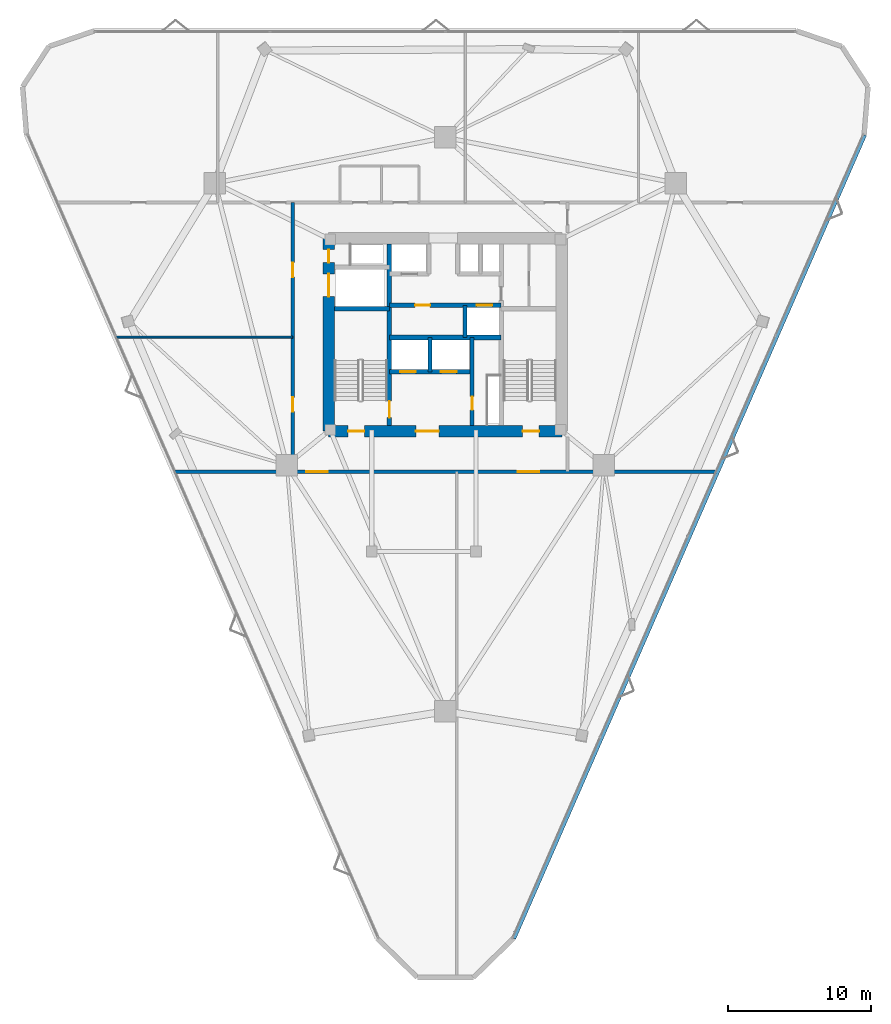
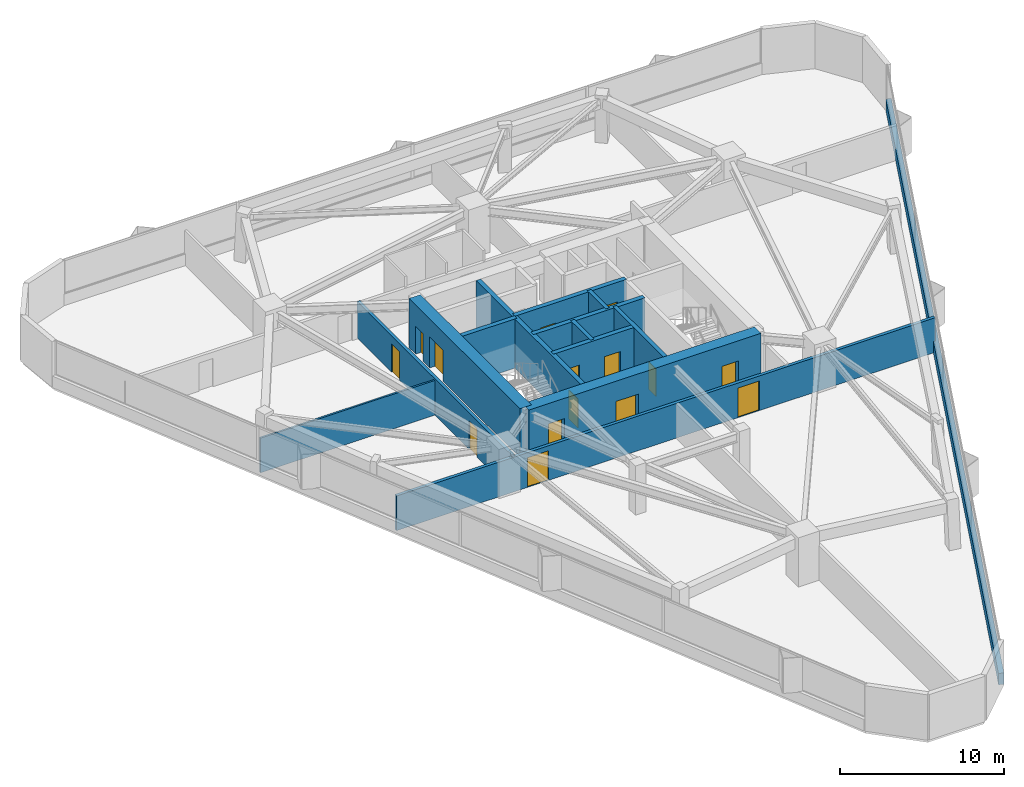
# One storey, part 12 of 14: 15 doors, 14 walls, 15 openings.
"""IFC4 building model written with IfcOpenShell, lengths in metres."""

from ifc_helpers import new_model, si_unit, direction, frame, frame_2d, origin, place, context, subcontext, project, spatial, rectangle, extrude, material, layer, layer_set, type_object, element, fill, save


model = new_model("IFC4")

# Units and contexts
model_context = context("Model", 3, precision=1e-05, world=origin(), true_north=direction((0.0, 1.0)))
body_context = subcontext(model_context, "Body", "Model", "MODEL_VIEW")
ifc_project = project(units=[si_unit("LENGTHUNIT", "METRE"), si_unit("AREAUNIT", "SQUARE_METRE"), si_unit("VOLUMEUNIT", "CUBIC_METRE"), si_unit("PLANEANGLEUNIT", "RADIAN"), si_unit("MASSUNIT", "GRAM", prefix="KILO")], contexts=[model_context])

# Site, building, storey
site_placement = place(None, origin())
site = spatial("IfcSite", under=ifc_project, at=site_placement, CompositionType="ELEMENT")
building_placement = place(site_placement, origin())
building = spatial("IfcBuilding", under=site, at=building_placement, Name="Talyreon Biosciences Tower", CompositionType="ELEMENT")
storey_placement = place(building_placement, frame((0.0, 0.0, 130.85009765625)))
storey = spatial("IfcBuildingStorey", under=building, at=storey_placement, Name="L34", CompositionType="ELEMENT", Elevation=130.85009765625)

# Wall
ifc_material_1 = material(Name="Concrete C50/60", Category="concrete")
ifc_layer_1 = layer(ifc_material_1, 0.280029296875)
ifc_layer_set_1 = layer_set([ifc_layer_1], Name="Concrete C50/60")
wall_type_1 = type_object("IfcWallType", Name="CoreShearWall_280", PredefinedType="SHEAR", material=ifc_layer_set_1)
wall_1_placement = place(storey_placement, frame((64.919921875, 65.39990234375, 0.0), z_axis=(0.0, 0.0, 1.0), x_axis=(0.0, 1.0, 0.0)))
element("IfcWall", 1, at=wall_1_placement, inside=storey, type_object=wall_type_1, Name="L34 Core Shaft Wall SWSHD1", PredefinedType="SHEAR", context=body_context, shape_type="SweptSolid", body=[
    extrude(rectangle(XDim=2.400146484375, YDim=0.280029296875, at=frame_2d((1.2001953125, 0.0))), origin(), (0.0, 0.0, 1.0), 3.64990234375),
])

# Wall, opening, door
wall_2_placement = place(storey_placement, frame((67.8798828125, 61.64990234375, 0.0), z_axis=(0.0, 0.0, 1.0), x_axis=(0.0, 1.0, 0.0)))
wall_2 = element("IfcWall", 2, at=wall_2_placement, inside=storey, type_object=wall_type_1, Name="L34 Core Shaft Wall SWFFE", PredefinedType="SHEAR", context=body_context, shape_type="SweptSolid", body=[
    extrude(rectangle(XDim=6.150146484375, YDim=0.280029296875, at=frame_2d((3.0751953125, 0.0))), origin(), (0.0, 0.0, 1.0), 3.64990234375),
])
opening_1_placement = place(wall_2_placement, frame((1.10009765625, 0.0, 0.0)))
opening_1 = element("IfcOpeningElement", 3, at=opening_1_placement, cuts=wall_2, Name="Opening DR-L34-RSE", PredefinedType="OPENING", context=body_context, shape_type="SweptSolid", body=[
    extrude(rectangle(XDim=0.919921875, YDim=2.050048828125, at=frame_2d((0.4599609375, 1.02490234375))), frame((0.0, 0.14990234375, 0.0), z_axis=(0.0, -1.0, 0.0), x_axis=(1.0, 0.0, 0.0)), (0.0, 0.0, 1.0), 0.300048828125),
])
ifc_material_2 = material(Name="Painted steel fire-rated riser door", Category="steel")
door_type_1 = type_object("IfcDoorType", Name="RiserPlantAccessDoor_920x2050", OperationType="NOTDEFINED", PredefinedType="DOOR", material=ifc_material_2)
door_1_placement = place(opening_1_placement, origin())
door_1 = element("IfcDoor", 4, at=door_1_placement, inside=storey, type_object=door_type_1, Name="L34 Core Door DR-L34-RSE", OperationType="SINGLE_SWING_RIGHT", OverallHeight=2.050048828125, OverallWidth=0.919921875, PredefinedType="DOOR", context=body_context, shape_type="SweptSolid", body=[
    extrude(rectangle(XDim=0.919921875, YDim=2.050048828125, at=frame_2d((0.4599609375, 1.02490234375))), frame((0.0, 0.02490234375, 0.0), z_axis=(0.0, -1.0, 0.0), x_axis=(1.0, 0.0, 0.0)), (0.0, 0.0, 1.0), 0.050048828125),
])
fill(opening_1, door_1)

# Wall
wall_3_placement = place(storey_placement, frame((67.3798828125, 67.800048828125, 0.0), z_axis=(0.0, 0.0, 1.0), x_axis=(0.0, 1.0, 0.0)))
element("IfcWall", 5, at=wall_3_placement, inside=storey, type_object=wall_type_1, Name="L34 Core Shaft Wall SWPMD", PredefinedType="SHEAR", context=body_context, shape_type="SweptSolid", body=[
    extrude(rectangle(XDim=2.25, YDim=0.280029296875, at=frame_2d((1.125, 0.0))), origin(), (0.0, 0.0, 1.0), 3.64990234375),
])

# Wall, opening, door
ifc_layer_2 = layer(ifc_material_1, 0.320068359375)
ifc_layer_set_2 = layer_set([ifc_layer_2], Name="Concrete C50/60")
wall_type_2 = type_object("IfcWallType", Name="CoreShearWall_320", PredefinedType="SHEAR", material=ifc_layer_set_2)
wall_4_placement = place(storey_placement, frame((62.090087890625, 61.64990234375, 0.0), z_axis=(0.0, 0.0, 1.0), x_axis=(0.0, 1.0, 0.0)))
wall_4 = element("IfcWall", 6, at=wall_4_placement, inside=storey, type_object=wall_type_2, Name="L34 Core Shaft Wall SW1E", PredefinedType="SHEAR", context=body_context, shape_type="SweptSolid", body=[
    extrude(rectangle(XDim=12.7001953125, YDim=0.320068359375, at=frame_2d((6.35009765625, 0.0))), origin(), (0.0, 0.0, 1.0), 3.64990234375),
])
opening_2_placement = place(wall_4_placement, frame((0.550048828125, 0.0, 0.0)))
opening_2 = element("IfcOpeningElement", 7, at=opening_2_placement, cuts=wall_4, Name="Opening DR-L34-FF-ST1", PredefinedType="OPENING", context=body_context, shape_type="SweptSolid", body=[
    extrude(rectangle(XDim=1.14990234375, YDim=2.14990234375, at=frame_2d((0.574951171875, 1.074951171875))), frame((0.0, 0.169921875, 0.0), z_axis=(0.0, -1.0, 0.0), x_axis=(1.0, 0.0, 0.0)), (0.0, 0.0, 1.0), 0.340087890625),
])
ifc_material_3 = material(Name="Painted steel fire door", Category="steel")
door_type_2 = type_object("IfcDoorType", Name="StairShaftFireDoor_1150x2150", OperationType="NOTDEFINED", PredefinedType="DOOR", material=ifc_material_3)
door_2_placement = place(opening_2_placement, origin())
door_2 = element("IfcDoor", 8, at=door_2_placement, inside=storey, type_object=door_type_2, Name="L34 Core Door DR-L34-FF-ST1", OperationType="SINGLE_SWING_LEFT", OverallHeight=2.14990234375, OverallWidth=1.14990234375, PredefinedType="DOOR", context=body_context, shape_type="SweptSolid", body=[
    extrude(rectangle(XDim=1.14990234375, YDim=2.14990234375, at=frame_2d((0.574951171875, 1.074951171875))), frame((0.0, 0.02490234375, 0.0), z_axis=(0.0, -1.0, 0.0), x_axis=(1.0, 0.0, 0.0)), (0.0, 0.0, 1.0), 0.050048828125),
])
fill(opening_2, door_2)

# Walls
wall_5_placement = place(storey_placement, frame((58.25, 69.81005859375, 0.0), z_axis=(0.0, 0.0, 1.0), x_axis=(1.0, 0.0, 0.0)))
element("IfcWall", 9, at=wall_5_placement, inside=storey, type_object=wall_type_2, Name="L34 Core Shaft Wall SW1N", PredefinedType="SHEAR", context=body_context, shape_type="SweptSolid", body=[
    extrude(rectangle(XDim=3.840087890625, YDim=0.320068359375, at=frame_2d((1.919921875, 0.0))), origin(), (0.0, 0.0, 1.0), 3.64990234375),
])
wall_6_placement = place(storey_placement, frame((62.090087890625, 67.800048828125, 0.0), z_axis=(0.0, 0.0, 1.0), x_axis=(1.0, 0.0, 0.0)))
element("IfcWall", 10, at=wall_6_placement, inside=storey, type_object=wall_type_2, Name="L34 Core Shaft Wall SWSHM", PredefinedType="SHEAR", context=body_context, shape_type="SweptSolid", body=[
    extrude(rectangle(XDim=7.81982421875, YDim=0.320068359375, at=frame_2d((3.909912109375, 0.0))), origin(), (0.0, 0.0, 1.0), 3.64990234375),
])

# Wall, openings, doors
wall_7_placement = place(storey_placement, frame((62.090087890625, 70.050048828125, 0.0), z_axis=(0.0, 0.0, 1.0), x_axis=(1.0, 0.0, 0.0)))
wall_7 = element("IfcWall", 11, at=wall_7_placement, inside=storey, type_object=wall_type_2, Name="L34 Core Shaft Wall SWSPN", PredefinedType="SHEAR", context=body_context, shape_type="SweptSolid", body=[
    extrude(rectangle(XDim=7.81982421875, YDim=0.320068359375, at=frame_2d((3.909912109375, 0.0))), origin(), (0.0, 0.0, 1.0), 3.64990234375),
])
opening_3_placement = place(wall_7_placement, frame((1.800048828125, 0.0, 0.0)))
opening_3 = element("IfcOpeningElement", 12, at=opening_3_placement, cuts=wall_7, Name="Opening DR-L34-PLFREE-A", PredefinedType="OPENING", context=body_context, shape_type="SweptSolid", body=[
    extrude(rectangle(XDim=1.050048828125, YDim=2.14990234375, at=frame_2d((0.52490234375, 1.074951171875))), frame((0.0, 0.169921875, 0.0), z_axis=(0.0, -1.0, 0.0), x_axis=(1.0, 0.0, 0.0)), (0.0, 0.0, 1.0), 0.340087890625),
])
opening_4_placement = place(wall_7_placement, frame((6.10009765625, 0.0, 0.0)))
opening_4 = element("IfcOpeningElement", 13, at=opening_4_placement, cuts=wall_7, Name="Opening LD-L34-PM1", PredefinedType="OPENING", context=body_context, shape_type="SweptSolid", body=[
    extrude(rectangle(XDim=1.10009765625, YDim=2.199951171875, at=frame_2d((0.550048828125, 1.10009765625))), frame((0.0, 0.169921875, 0.0), z_axis=(0.0, -1.0, 0.0), x_axis=(1.0, 0.0, 0.0)), (0.0, 0.0, 1.0), 0.340087890625),
])
ifc_material_4 = material(Name="Acoustic timber-core laboratory door", Category="wood")
door_type_3 = type_object("IfcDoorType", Name="DryLabSingleDoor_1050x2150", OperationType="NOTDEFINED", PredefinedType="DOOR", material=ifc_material_4)
door_3_placement = place(opening_3_placement, origin())
door_3 = element("IfcDoor", 14, at=door_3_placement, inside=storey, type_object=door_type_3, Name="L34 Core Door DR-L34-PLFREE-A", OperationType="SINGLE_SWING_LEFT", OverallHeight=2.14990234375, OverallWidth=1.050048828125, PredefinedType="DOOR", context=body_context, shape_type="SweptSolid", body=[
    extrude(rectangle(XDim=1.050048828125, YDim=2.14990234375, at=frame_2d((0.52490234375, 1.074951171875))), frame((0.0, 0.02490234375, 0.0), z_axis=(0.0, -1.0, 0.0), x_axis=(1.0, 0.0, 0.0)), (0.0, 0.0, 1.0), 0.050048828125),
])
fill(opening_3, door_3)
ifc_material_5 = material(Name="Brushed stainless-steel lift landing door", Category="steel")
door_type_4 = type_object("IfcDoorType", Name="LiftSlidingLandingDoor_1100x2200", OperationType="SLIDING_TO_LEFT", PredefinedType="DOOR", material=ifc_material_5)
door_4_placement = place(opening_4_placement, origin())
door_4 = element("IfcDoor", 15, at=door_4_placement, inside=storey, type_object=door_type_4, Name="L34 Core Door LD-L34-PM1", OperationType="SLIDING_TO_LEFT", OverallHeight=2.199951171875, OverallWidth=1.10009765625, PredefinedType="DOOR", context=body_context, shape_type="SweptSolid", body=[
    extrude(rectangle(XDim=1.10009765625, YDim=2.199951171875, at=frame_2d((0.550048828125, 1.10009765625))), frame((0.0, 0.02490234375, 0.0), z_axis=(0.0, -1.0, 0.0), x_axis=(1.0, 0.0, 0.0)), (0.0, 0.0, 1.0), 0.050048828125),
])
fill(opening_4, door_4)

wall_8_placement = place(storey_placement, frame((62.090087890625, 65.39990234375, 0.0), z_axis=(0.0, 0.0, 1.0), x_axis=(1.0, 0.0, 0.0)))
wall_8 = element("IfcWall", 16, at=wall_8_placement, inside=storey, type_object=wall_type_2, Name="L34 Core Shaft Wall SWFFN", PredefinedType="SHEAR", context=body_context, shape_type="SweptSolid", body=[
    extrude(rectangle(XDim=5.789794921875, YDim=0.320068359375, at=frame_2d((2.89501953125, 0.0))), origin(), (0.0, 0.0, 1.0), 3.64990234375),
])
opening_5_placement = place(wall_8_placement, frame((0.75, 0.0, 0.0)))
opening_5 = element("IfcOpeningElement", 17, at=opening_5_placement, cuts=wall_8, Name="Opening LD-L34-FL1", PredefinedType="OPENING", context=body_context, shape_type="SweptSolid", body=[
    extrude(rectangle(XDim=1.10009765625, YDim=2.199951171875, at=frame_2d((0.550048828125, 1.10009765625))), frame((0.0, 0.169921875, 0.0), z_axis=(0.0, -1.0, 0.0), x_axis=(1.0, 0.0, 0.0)), (0.0, 0.0, 1.0), 0.340087890625),
])
opening_6_placement = place(wall_8_placement, frame((3.60009765625, 0.0, 0.0)))
opening_6 = element("IfcOpeningElement", 18, at=opening_6_placement, cuts=wall_8, Name="Opening LD-L34-FL2", PredefinedType="OPENING", context=body_context, shape_type="SweptSolid", body=[
    extrude(rectangle(XDim=1.10009765625, YDim=2.199951171875, at=frame_2d((0.550048828125, 1.10009765625))), frame((0.0, 0.169921875, 0.0), z_axis=(0.0, -1.0, 0.0), x_axis=(1.0, 0.0, 0.0)), (0.0, 0.0, 1.0), 0.340087890625),
])
door_5_placement = place(opening_5_placement, origin())
door_5 = element("IfcDoor", 19, at=door_5_placement, inside=storey, type_object=door_type_4, Name="L34 Core Door LD-L34-FL1", OperationType="SLIDING_TO_LEFT", OverallHeight=2.199951171875, OverallWidth=1.10009765625, PredefinedType="DOOR", context=body_context, shape_type="SweptSolid", body=[
    extrude(rectangle(XDim=1.10009765625, YDim=2.199951171875, at=frame_2d((0.550048828125, 1.10009765625))), frame((0.0, 0.02490234375, 0.0), z_axis=(0.0, -1.0, 0.0), x_axis=(1.0, 0.0, 0.0)), (0.0, 0.0, 1.0), 0.050048828125),
])
fill(opening_5, door_5)
door_6_placement = place(opening_6_placement, origin())
door_6 = element("IfcDoor", 20, at=door_6_placement, inside=storey, type_object=door_type_4, Name="L34 Core Door LD-L34-FL2", OperationType="SLIDING_TO_LEFT", OverallHeight=2.199951171875, OverallWidth=1.10009765625, PredefinedType="DOOR", context=body_context, shape_type="SweptSolid", body=[
    extrude(rectangle(XDim=1.10009765625, YDim=2.199951171875, at=frame_2d((0.550048828125, 1.10009765625))), frame((0.0, 0.02490234375, 0.0), z_axis=(0.0, -1.0, 0.0), x_axis=(1.0, 0.0, 0.0)), (0.0, 0.0, 1.0), 0.050048828125),
])
fill(opening_6, door_6)

ifc_material_6 = material(Name="Concrete C60/75", Category="concrete")
ifc_layer_3 = layer(ifc_material_6, 0.800048828125)
ifc_layer_set_3 = layer_set([ifc_layer_3], Name="Concrete C60/75")
wall_type_3 = type_object("IfcWallType", Name="CoreShearWall_800", PredefinedType="SHEAR", material=ifc_layer_set_3)
wall_9_placement = place(storey_placement, frame((57.85009765625, 61.25, 0.0), z_axis=(0.0, 0.0, 1.0), x_axis=(1.0, 0.0, 0.0)))
wall_9 = element("IfcWall", 21, at=wall_9_placement, inside=storey, type_object=wall_type_3, Name="L34 Core Shear Wall S", PredefinedType="SHEAR", context=body_context, shape_type="SweptSolid", body=[
    extrude(rectangle(XDim=16.2998046875, YDim=0.800048828125, at=frame_2d((8.14990234375, 0.0))), origin(), (0.0, 0.0, 1.0), 3.64990234375),
])
opening_7_placement = place(wall_9_placement, frame((1.35009765625, 0.0, 0.0)))
opening_7 = element("IfcOpeningElement", 22, at=opening_7_placement, cuts=wall_9, Name="Opening DR-L34-ST1", PredefinedType="OPENING", context=body_context, shape_type="SweptSolid", body=[
    extrude(rectangle(XDim=1.14990234375, YDim=2.14990234375, at=frame_2d((0.574951171875, 1.074951171875))), frame((0.0, 0.409912109375, 0.0), z_axis=(0.0, -1.0, 0.0), x_axis=(1.0, 0.0, 0.0)), (0.0, 0.0, 1.0), 0.820068359375),
])
opening_8_placement = place(wall_9_placement, frame((6.10009765625, 0.0, 0.0)))
opening_8 = element("IfcOpeningElement", 23, at=opening_8_placement, cuts=wall_9, Name="Opening DR-L34-FFL", PredefinedType="OPENING", context=body_context, shape_type="SweptSolid", body=[
    extrude(rectangle(XDim=1.60009765625, YDim=2.14990234375, at=frame_2d((0.800048828125, 1.074951171875))), frame((0.0, 0.409912109375, 0.0), z_axis=(0.0, -1.0, 0.0), x_axis=(1.0, 0.0, 0.0)), (0.0, 0.0, 1.0), 0.820068359375),
])
opening_9_placement = place(wall_9_placement, frame((13.550048828125, 0.0, 0.0)))
opening_9 = element("IfcOpeningElement", 24, at=opening_9_placement, cuts=wall_9, Name="Opening DR-L34-ST2", PredefinedType="OPENING", context=body_context, shape_type="SweptSolid", body=[
    extrude(rectangle(XDim=1.14990234375, YDim=2.14990234375, at=frame_2d((0.574951171875, 1.074951171875))), frame((0.0, 0.409912109375, 0.0), z_axis=(0.0, -1.0, 0.0), x_axis=(1.0, 0.0, 0.0)), (0.0, 0.0, 1.0), 0.820068359375),
])
ifc_material_7 = material(Name="Painted steel smoke-seal fire door", Category="steel")
door_type_5 = type_object("IfcDoorType", Name="FirefightingLobbyDoubleDoor_1600x2150", OperationType="DOUBLE_DOOR_SINGLE_SWING", PredefinedType="DOOR", material=ifc_material_7)
door_7_placement = place(opening_8_placement, origin())
door_7 = element("IfcDoor", 25, at=door_7_placement, inside=storey, type_object=door_type_5, Name="L34 Core Door DR-L34-FFL", OperationType="DOUBLE_DOOR_SINGLE_SWING", OverallHeight=2.14990234375, OverallWidth=1.60009765625, PredefinedType="DOOR", context=body_context, shape_type="SweptSolid", body=[
    extrude(rectangle(XDim=1.60009765625, YDim=2.14990234375, at=frame_2d((0.800048828125, 1.074951171875))), frame((0.0, 0.02490234375, 0.0), z_axis=(0.0, -1.0, 0.0), x_axis=(1.0, 0.0, 0.0)), (0.0, 0.0, 1.0), 0.050048828125),
])
fill(opening_8, door_7)
door_8_placement = place(opening_7_placement, origin())
door_8 = element("IfcDoor", 26, at=door_8_placement, inside=storey, type_object=door_type_2, Name="L34 Core Door DR-L34-ST1", OperationType="SINGLE_SWING_LEFT", OverallHeight=2.14990234375, OverallWidth=1.14990234375, PredefinedType="DOOR", context=body_context, shape_type="SweptSolid", body=[
    extrude(rectangle(XDim=1.14990234375, YDim=2.14990234375, at=frame_2d((0.574951171875, 1.074951171875))), frame((0.0, 0.02490234375, 0.0), z_axis=(0.0, -1.0, 0.0), x_axis=(1.0, 0.0, 0.0)), (0.0, 0.0, 1.0), 0.050048828125),
])
fill(opening_7, door_8)
door_9_placement = place(opening_9_placement, origin())
door_9 = element("IfcDoor", 27, at=door_9_placement, inside=storey, type_object=door_type_2, Name="L34 Core Door DR-L34-ST2", OperationType="SINGLE_SWING_RIGHT", OverallHeight=2.14990234375, OverallWidth=1.14990234375, PredefinedType="DOOR", context=body_context, shape_type="SweptSolid", body=[
    extrude(rectangle(XDim=1.14990234375, YDim=2.14990234375, at=frame_2d((0.574951171875, 1.074951171875))), frame((0.0, 0.02490234375, 0.0), z_axis=(0.0, -1.0, 0.0), x_axis=(1.0, 0.0, 0.0)), (0.0, 0.0, 1.0), 0.050048828125),
])
fill(opening_9, door_9)

wall_10_placement = place(storey_placement, frame((57.85009765625, 74.75, 0.0), z_axis=(0.0, 0.0, 1.0), x_axis=(0.0, -1.0, 0.0)))
wall_10 = element("IfcWall", 28, at=wall_10_placement, inside=storey, type_object=wall_type_3, Name="L34 Core Shear Wall W", PredefinedType="SHEAR", context=body_context, shape_type="SweptSolid", body=[
    extrude(rectangle(XDim=13.5, YDim=0.800048828125, at=frame_2d((6.75, 0.0))), origin(), (0.0, 0.0, 1.0), 3.64990234375),
])
opening_10_placement = place(wall_10_placement, frame((0.800048828125, 0.0, 0.0)))
opening_10 = element("IfcOpeningElement", 29, at=opening_10_placement, cuts=wall_10, Name="Opening DR-L34-RSW", PredefinedType="OPENING", context=body_context, shape_type="SweptSolid", body=[
    extrude(rectangle(XDim=0.919921875, YDim=2.050048828125, at=frame_2d((0.4599609375, 1.02490234375))), frame((0.0, 0.409912109375, 0.0), z_axis=(0.0, -1.0, 0.0), x_axis=(1.0, 0.0, 0.0)), (0.0, 0.0, 1.0), 0.820068359375),
])
opening_11_placement = place(wall_10_placement, frame((2.5, 0.0, 0.0)))
opening_11 = element("IfcOpeningElement", 30, at=opening_11_placement, cuts=wall_10, Name="Opening LD-L34-GL1", PredefinedType="OPENING", context=body_context, shape_type="SweptSolid", body=[
    extrude(rectangle(XDim=1.60009765625, YDim=2.300048828125, at=frame_2d((0.800048828125, 1.14990234375))), frame((0.0, 0.409912109375, 0.0), z_axis=(0.0, -1.0, 0.0), x_axis=(1.0, 0.0, 0.0)), (0.0, 0.0, 1.0), 0.820068359375),
])
ifc_material_8 = material(Name="Heavy-duty stainless-steel goods lift door", Category="steel")
door_type_6 = type_object("IfcDoorType", Name="GoodsLiftSlidingDoor_1600x2300", OperationType="DOUBLE_DOOR_SLIDING", PredefinedType="DOOR", material=ifc_material_8)
door_10_placement = place(opening_11_placement, origin())
door_10 = element("IfcDoor", 31, at=door_10_placement, inside=storey, type_object=door_type_6, Name="L34 Core Door LD-L34-GL1", OperationType="DOUBLE_DOOR_SLIDING", OverallHeight=2.300048828125, OverallWidth=1.60009765625, PredefinedType="DOOR", context=body_context, shape_type="SweptSolid", body=[
    extrude(rectangle(XDim=1.60009765625, YDim=2.300048828125, at=frame_2d((0.800048828125, 1.14990234375))), frame((0.0, 0.02490234375, 0.0), z_axis=(0.0, -1.0, 0.0), x_axis=(1.0, 0.0, 0.0)), (0.0, 0.0, 1.0), 0.050048828125),
])
fill(opening_11, door_10)
door_11_placement = place(opening_10_placement, origin())
door_11 = element("IfcDoor", 32, at=door_11_placement, inside=storey, type_object=door_type_1, Name="L34 Core Door DR-L34-RSW", OperationType="SINGLE_SWING_LEFT", OverallHeight=2.050048828125, OverallWidth=0.919921875, PredefinedType="DOOR", context=body_context, shape_type="SweptSolid", body=[
    extrude(rectangle(XDim=0.919921875, YDim=2.050048828125, at=frame_2d((0.4599609375, 1.02490234375))), frame((0.0, 0.02490234375, 0.0), z_axis=(0.0, -1.0, 0.0), x_axis=(1.0, 0.0, 0.0)), (0.0, 0.0, 1.0), 0.050048828125),
])
fill(opening_10, door_11)

ifc_material_9 = material(Name="Gypsum fireboard acoustic stud", Category="gypsum")
ifc_layer_4 = layer(ifc_material_9, 0.219970703125)
ifc_layer_set_4 = layer_set([ifc_layer_4], Name="Gypsum fireboard acoustic stud")
wall_type_4 = type_object("IfcWallType", Name="CorridorRatedPartition_220", PredefinedType="PARTITIONING", material=ifc_layer_set_4)
wall_11_placement = place(storey_placement, frame((47.0849609375, 58.419921875, 0.0), z_axis=(0.0, 0.0, 1.0), x_axis=(1.0, 0.0, 0.0)))
wall_11 = element("IfcWall", 33, at=wall_11_placement, inside=storey, type_object=wall_type_4, Name="L34 Interior Wall IW-L34-COR-S", PredefinedType="PARTITIONING", context=body_context, shape_type="SweptSolid", body=[
    extrude(rectangle(XDim=37.830078125, YDim=0.219970703125, at=frame_2d((18.9150390625, 0.0))), origin(), (0.0, 0.0, 1.0), 2.574951171875),
])
opening_12_placement = place(wall_11_placement, frame((9.181884765625, 0.0, 0.0)))
opening_12 = element("IfcOpeningElement", 34, at=opening_12_placement, cuts=wall_11, Name="Opening DR-L34-S1A", PredefinedType="OPENING", context=body_context, shape_type="SweptSolid", body=[
    extrude(rectangle(XDim=1.5, YDim=2.199951171875, at=frame_2d((0.75, 1.10009765625))), frame((0.0, 0.119873046875, 0.0), z_axis=(0.0, -1.0, 0.0), x_axis=(1.0, 0.0, 0.0)), (0.0, 0.0, 1.0), 0.239990234375),
])
opening_13_placement = place(wall_11_placement, frame((23.966064453125, 0.0, 0.0)))
opening_13 = element("IfcOpeningElement", 35, at=opening_13_placement, cuts=wall_11, Name="Opening DR-L34-S2A", PredefinedType="OPENING", context=body_context, shape_type="SweptSolid", body=[
    extrude(rectangle(XDim=1.5, YDim=2.199951171875, at=frame_2d((0.75, 1.10009765625))), frame((0.0, 0.119873046875, 0.0), z_axis=(0.0, -1.0, 0.0), x_axis=(1.0, 0.0, 0.0)), (0.0, 0.0, 1.0), 0.239990234375),
])
ifc_material_10 = material(Name="Vision-panel steel laboratory fire door", Category="steel")
door_type_7 = type_object("IfcDoorType", Name="WetLabDoubleLeafDoor_1500x2200", OperationType="DOUBLE_DOOR_SINGLE_SWING", PredefinedType="DOOR", material=ifc_material_10)
door_12_placement = place(opening_12_placement, origin())
door_12 = element("IfcDoor", 36, at=door_12_placement, inside=storey, type_object=door_type_7, Name="L34 Interior Door DR-L34-S1A", OperationType="DOUBLE_DOOR_SINGLE_SWING", OverallHeight=2.199951171875, OverallWidth=1.5, PredefinedType="DOOR", context=body_context, shape_type="SweptSolid", body=[
    extrude(rectangle(XDim=1.5, YDim=2.199951171875, at=frame_2d((0.75, 1.10009765625))), frame((0.0, 0.02490234375, 0.0), z_axis=(0.0, -1.0, 0.0), x_axis=(1.0, 0.0, 0.0)), (0.0, 0.0, 1.0), 0.050048828125),
])
fill(opening_12, door_12)
door_13_placement = place(opening_13_placement, origin())
door_13 = element("IfcDoor", 37, at=door_13_placement, inside=storey, type_object=door_type_7, Name="L34 Interior Door DR-L34-S2A", OperationType="DOUBLE_DOOR_SINGLE_SWING", OverallHeight=2.199951171875, OverallWidth=1.5, PredefinedType="DOOR", context=body_context, shape_type="SweptSolid", body=[
    extrude(rectangle(XDim=1.5, YDim=2.199951171875, at=frame_2d((0.75, 1.10009765625))), frame((0.0, 0.02490234375, 0.0), z_axis=(0.0, -1.0, 0.0), x_axis=(1.0, 0.0, 0.0)), (0.0, 0.0, 1.0), 0.050048828125),
])
fill(opening_13, door_13)

wall_12_placement = place(storey_placement, frame((55.330078125, 58.419921875, 0.0), z_axis=(0.0, 0.0, 1.0), x_axis=(0.0, 1.0, 0.0)))
wall_12 = element("IfcWall", 38, at=wall_12_placement, inside=storey, type_object=wall_type_4, Name="L34 Interior Wall IW-L34-COR-W", PredefinedType="PARTITIONING", context=body_context, shape_type="SweptSolid", body=[
    extrude(rectangle(XDim=18.81005859375, YDim=0.219970703125, at=frame_2d((9.405029296875, 0.0))), origin(), (0.0, 0.0, 1.0), 2.704833984375),
])
opening_14_placement = place(wall_12_placement, frame((4.202880859375, 0.0, 0.0)))
opening_14 = element("IfcOpeningElement", 39, at=opening_14_placement, cuts=wall_12, Name="Opening DR-L34-W1A", PredefinedType="OPENING", context=body_context, shape_type="SweptSolid", body=[
    extrude(rectangle(XDim=1.0, YDim=2.10009765625, at=frame_2d((0.5, 1.050048828125))), frame((0.0, 0.119873046875, 0.0), z_axis=(0.0, -1.0, 0.0), x_axis=(1.0, 0.0, 0.0)), (0.0, 0.0, 1.0), 0.239990234375),
])
opening_15_placement = place(wall_12_placement, frame((13.60791015625, 0.0, 0.0)))
opening_15 = element("IfcOpeningElement", 40, at=opening_15_placement, cuts=wall_12, Name="Opening DR-L34-W2A", PredefinedType="OPENING", context=body_context, shape_type="SweptSolid", body=[
    extrude(rectangle(XDim=1.0, YDim=2.10009765625, at=frame_2d((0.5, 1.050048828125))), frame((0.0, 0.119873046875, 0.0), z_axis=(0.0, -1.0, 0.0), x_axis=(1.0, 0.0, 0.0)), (0.0, 0.0, 1.0), 0.239990234375),
])
ifc_material_11 = material(Name="Acoustic oak veneer office door", Category="wood")
door_type_8 = type_object("IfcDoorType", Name="WriteupOfficeDoor_1000x2100", OperationType="NOTDEFINED", PredefinedType="DOOR", material=ifc_material_11)
door_14_placement = place(opening_14_placement, origin())
door_14 = element("IfcDoor", 41, at=door_14_placement, inside=storey, type_object=door_type_8, Name="L34 Interior Door DR-L34-W1A", OperationType="SINGLE_SWING_LEFT", OverallHeight=2.10009765625, OverallWidth=1.0, PredefinedType="DOOR", context=body_context, shape_type="SweptSolid", body=[
    extrude(rectangle(XDim=1.0, YDim=2.10009765625, at=frame_2d((0.5, 1.050048828125))), frame((0.0, 0.02490234375, 0.0), z_axis=(0.0, -1.0, 0.0), x_axis=(1.0, 0.0, 0.0)), (0.0, 0.0, 1.0), 0.050048828125),
])
fill(opening_14, door_14)
door_15_placement = place(opening_15_placement, origin())
door_15 = element("IfcDoor", 42, at=door_15_placement, inside=storey, type_object=door_type_8, Name="L34 Interior Door DR-L34-W2A", OperationType="SINGLE_SWING_LEFT", OverallHeight=2.10009765625, OverallWidth=1.0, PredefinedType="DOOR", context=body_context, shape_type="SweptSolid", body=[
    extrude(rectangle(XDim=1.0, YDim=2.10009765625, at=frame_2d((0.5, 1.050048828125))), frame((0.0, 0.02490234375, 0.0), z_axis=(0.0, -1.0, 0.0), x_axis=(1.0, 0.0, 0.0)), (0.0, 0.0, 1.0), 0.050048828125),
])
fill(opening_15, door_15)

# Walls
ifc_material_12 = material(Name="Gypsum acoustic stud partition", Category="gypsum")
ifc_layer_5 = layer(ifc_material_12, 0.1298828125)
ifc_layer_set_5 = layer_set([ifc_layer_5], Name="Gypsum acoustic stud partition")
wall_type_5 = type_object("IfcWallType", Name="OfficeWriteupPartition_130", PredefinedType="PARTITIONING", material=ifc_layer_set_5)
wall_13_placement = place(storey_placement, frame((42.9794921875, 67.824951171875, 0.0), z_axis=(0.0, 0.0, 1.0), x_axis=(1.0, 0.0, 0.0)))
element("IfcWall", 43, at=wall_13_placement, inside=storey, type_object=wall_type_5, Name="L34 Interior Wall IW-L34-WDIV1", PredefinedType="PARTITIONING", context=body_context, shape_type="SweptSolid", body=[
    extrude(rectangle(XDim=12.3505859375, YDim=0.1298828125, at=frame_2d((6.17529296875, 0.0))), origin(), (0.0, 0.0, 1.0), 2.574951171875),
])
ifc_material_13 = material(Name="Precast concrete C45/55", Category="concrete")
ifc_layer_6 = layer(ifc_material_13, 0.340087890625)
ifc_layer_set_6 = layer_set([ifc_layer_6], Name="Precast concrete C45/55")
wall_type_6 = type_object("IfcWallType", Name="PrecastConcreteSpandrelWall_340", PredefinedType="STANDARD", material=ifc_layer_set_6)
wall_14_placement = place(storey_placement, frame((95.288818359375, 81.97265625, 0.0), z_axis=(0.0, 0.0, 1.0), x_axis=(-0.400059849946, -0.916489016007, 0.0)))
element("IfcWall", 44, at=wall_14_placement, inside=storey, type_object=wall_type_6, Name="L34 Expressed Concrete Sill Wall 08", PredefinedType="STANDARD", context=body_context, shape_type="SweptSolid", body=[
    extrude(rectangle(XDim=61.298828125, YDim=0.340087890625, at=frame_2d((30.6494140625, 0.0))), origin(), (0.0, 0.0, 1.0), 0.849853515625),
])

save(model, "model.ifc")
